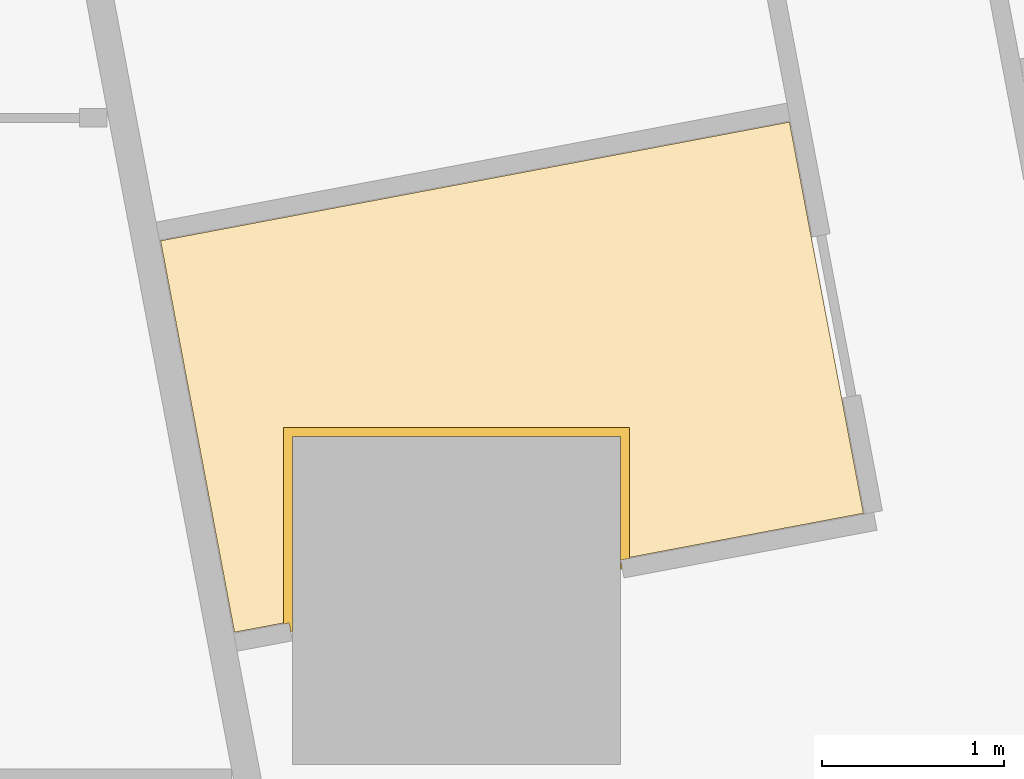
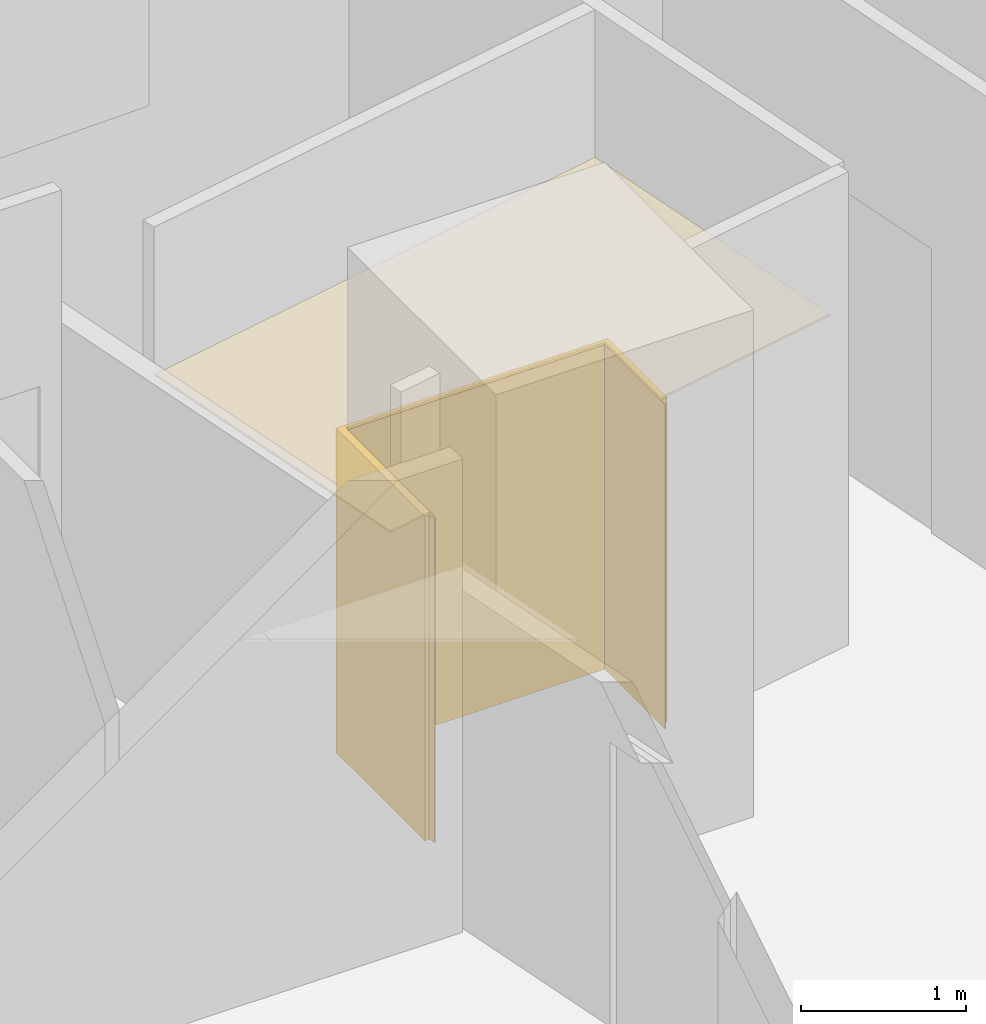
# One storey, part 17 of 17: 2 coverings.
"""IFC4 building model written with IfcOpenShell, lengths in metres."""

import ifcopenshell
import ifcopenshell.guid

model = None  # the IFC model being written
_history = None  # IfcOwnerHistory: only IFC2X3 demands one
_inside = {}  # id of a spatial element -> (the spatial element, [elements in it])
_under = {}  # id of a project, library or spatial element -> (it, [spatial elements below it])
_declared = {}  # id of a project -> (the project, [libraries it declares])
_typed = {}  # id of a type object -> (the type object, [elements of that type])
_made_of = {}  # id of a material, layer set ... -> (it, [elements and type objects made of it])


def new_model(schema):
    """Start an empty IFC model of exactly this schema.

    Asked for "IFC4X3", IfcOpenShell would pick the latest addendum, in which some entities
    have other attributes; the version numbers below select the first issue.
    IFC2X3 requires an IfcOwnerHistory on every rooted entity: one is made here for all.
    """
    global model, _history
    if schema == "IFC4X3":
        model = ifcopenshell.file(schema_version=(4, 3, 0, 0))
    else:
        model = ifcopenshell.file(schema=schema)
    _inside.clear()
    _under.clear()
    _declared.clear()
    _typed.clear()
    _made_of.clear()
    _history = None
    if model.schema == "IFC2X3":
        org = make("IfcOrganization", Name="unknown")
        user = make(
            "IfcPersonAndOrganization",
            ThePerson=make("IfcPerson", FamilyName="unknown"),
            TheOrganization=org,
        )
        app = make(
            "IfcApplication",
            ApplicationDeveloper=org,
            Version="unknown",
            ApplicationFullName="unknown",
            ApplicationIdentifier="unknown",
        )
        _history = make(
            "IfcOwnerHistory",
            OwningUser=user,
            OwningApplication=app,
            ChangeAction="ADDED",
            CreationDate=0,
        )
    return model


def make(cls, **values):
    """One entity of the class cls with the attributes given. An attribute that is None is left unset."""
    return model.create_entity(
        cls, **{name: value for name, value in values.items() if value is not None}
    )


def rooted(cls, **values):
    """An entity with a GlobalId (a new one), such as an element, a storey or a relation."""
    return make(cls, GlobalId=ifcopenshell.guid.new(), OwnerHistory=_history, **values)


def si_unit(unit_type, name, prefix=None):
    """IfcSIUnit, for example si_unit("LENGTHUNIT", "METRE", prefix="MILLI")."""
    return make("IfcSIUnit", UnitType=unit_type, Prefix=prefix, Name=name)


def assignment(units):
    """IfcUnitAssignment: the units of a project."""
    return None if units is None else make("IfcUnitAssignment", Units=units)


def point(xyz):
    """IfcCartesianPoint."""
    return None if xyz is None else make("IfcCartesianPoint", Coordinates=xyz)


def direction(xyz):
    """IfcDirection."""
    return None if xyz is None else make("IfcDirection", DirectionRatios=xyz)


def frame(location, z_axis=None, x_axis=None):
    """IfcAxis2Placement3D, a coordinate frame: its origin and axes. An axis left out is left unset."""
    return make(
        "IfcAxis2Placement3D",
        Location=point(location),
        Axis=direction(z_axis),
        RefDirection=direction(x_axis),
    )


def origin():
    """The frame at (0, 0, 0) with its axes left unset."""
    return frame((0.0, 0.0, 0.0))


def place(relative_to, where):
    """IfcLocalPlacement: puts the frame where relative to a parent placement (None: the world)."""
    return make(
        "IfcLocalPlacement", PlacementRelTo=relative_to, RelativePlacement=where
    )


def context(
    kind, dimensions, precision=None, world=None, true_north=None, identifier=None
):
    """IfcGeometricRepresentationContext, for example the 3D "Model" context."""
    return make(
        "IfcGeometricRepresentationContext",
        ContextIdentifier=identifier,
        ContextType=kind,
        CoordinateSpaceDimension=dimensions,
        Precision=precision,
        WorldCoordinateSystem=world,
        TrueNorth=true_north,
    )


def subcontext(parent, identifier, kind, view, scale=None):
    """IfcGeometricRepresentationSubContext, for example "Body" below "Model"."""
    return make(
        "IfcGeometricRepresentationSubContext",
        ContextIdentifier=identifier,
        ContextType=kind,
        ParentContext=parent,
        TargetScale=scale,
        TargetView=view,
    )


def project(units=None, contexts=None):
    """IfcProject with its units and contexts."""
    return rooted(
        "IfcProject",
        Name="project",
        RepresentationContexts=contexts,
        UnitsInContext=assignment(units),
    )


def spatial(cls, under=None, at=None, **own):
    """A site, building, storey or space (cls), placed at a placement, below another one or the project."""
    s = rooted(cls, ObjectPlacement=at, **own)
    if under is not None:
        _under.setdefault(under.id(), (under, []))[1].append(s)
    return s


def polyline(points):
    """IfcPolyline through the points."""
    return make("IfcPolyline", Points=[point(p) for p in points])


def outline(outer, holes=None, kind="AREA"):
    """IfcArbitraryClosedProfileDef: a profile drawn as a closed curve; with holes, ...WithVoids."""
    if holes is None:
        return make("IfcArbitraryClosedProfileDef", ProfileType=kind, OuterCurve=outer)
    return make(
        "IfcArbitraryProfileDefWithVoids",
        ProfileType=kind,
        OuterCurve=outer,
        InnerCurves=holes,
    )


def extrude(swept, where, along, depth):
    """IfcExtrudedAreaSolid: the profile swept, set in the frame where, extruded along a direction by depth."""
    return make(
        "IfcExtrudedAreaSolid",
        SweptArea=swept,
        Position=where,
        ExtrudedDirection=direction(along),
        Depth=depth,
    )


def shape(context_of_items, identifier, shape_type, items):
    """IfcShapeRepresentation: the items that make up one representation, for example the "Body"."""
    return make(
        "IfcShapeRepresentation",
        ContextOfItems=context_of_items,
        RepresentationIdentifier=identifier,
        RepresentationType=shape_type,
        Items=items,
    )


def material(Name=None, Category=None):
    """IfcMaterial."""
    return make("IfcMaterial", Name=Name, Category=Category)


def layer(
    of_material, thickness, ventilated=None, Name=None, Category=None, Priority=None
):
    """IfcMaterialLayer: one layer of a wall or slab, of a material (None: an air gap)."""
    return make(
        "IfcMaterialLayer",
        Material=of_material,
        LayerThickness=thickness,
        IsVentilated=ventilated,
        Name=Name,
        Category=Category,
        Priority=Priority,
    )


def layer_set(layers, Name=None):
    """IfcMaterialLayerSet."""
    return make("IfcMaterialLayerSet", MaterialLayers=layers, LayerSetName=Name)


def made_of(thing, what):
    """Note that an element or type object is made of a material, layer set ...; save() writes the relation."""
    if what is not None:
        _made_of.setdefault(what.id(), (what, []))[1].append(thing)
    return thing


def type_object(cls, material=None, **own):
    """A type object (cls), such as IfcWallType, which elements share."""
    return made_of(rooted(cls, **own), material)


def element(
    cls,
    number,
    at=None,
    inside=None,
    cuts=None,
    type_object=None,
    material=None,
    context=None,
    identifier="Body",
    shape_type=None,
    held_by="IfcProductDefinitionShape",
    body=None,
    shapes=None,
    **own,
):
    """One element of the class cls, such as IfcWall. Its Tag is "e" and its number.

    at: its placement. inside: the storey or other place that contains it. cuts: it is an
    opening in that element (IfcRelVoidsElement). A single representation is given by context,
    identifier, shape_type and body (its items); several are given by shapes. held_by: the class
    of the entity that holds the representations. save() writes the other relations.
    """
    e = rooted(cls, Tag="e%d" % number, ObjectPlacement=at, **own)
    if body is not None:
        shapes = [shape(context, identifier, shape_type, body)]
    if shapes is not None:
        e.Representation = make(held_by, Representations=shapes)
    if inside is not None:
        _inside.setdefault(inside.id(), (inside, []))[1].append(e)
    if cuts is not None:
        rooted(
            "IfcRelVoidsElement", RelatingBuildingElement=cuts, RelatedOpeningElement=e
        )
    if type_object is not None:
        _typed.setdefault(type_object.id(), (type_object, []))[1].append(e)
    return made_of(e, material)


def aggregate(whole, parts):
    """IfcRelAggregates: a whole, such as a stair, and the parts it consists of."""
    return rooted("IfcRelAggregates", RelatingObject=whole, RelatedObjects=parts)


def save(model, path):
    """Write the relations noted so far, then the file.

    IfcRelAggregates (storeys below a building ...), IfcRelContainedInSpatialStructure (elements
    in a storey), IfcRelDefinesByType, IfcRelAssociatesMaterial and IfcRelDeclares: one each for
    every whole, place, type object, material and project.
    """
    for whole, parts in _under.values():
        aggregate(whole, parts)
    for where, things in _inside.values():
        rooted(
            "IfcRelContainedInSpatialStructure",
            RelatedElements=things,
            RelatingStructure=where,
        )
    for kind, things in _typed.values():
        rooted("IfcRelDefinesByType", RelatedObjects=things, RelatingType=kind)
    for what, things in _made_of.values():
        rooted("IfcRelAssociatesMaterial", RelatedObjects=things, RelatingMaterial=what)
    for by, libraries in _declared.values():
        rooted("IfcRelDeclares", RelatingContext=by, RelatedDefinitions=libraries)
    model.write(path)


model = new_model("IFC4")

# Units and contexts
model_context = context("Model", 3, precision=1e-05, world=origin(), true_north=direction((0.0, 1.0)))
body_context = subcontext(model_context, "Body", "Model", "MODEL_VIEW")
ifc_project = project(units=[si_unit("LENGTHUNIT", "METRE"), si_unit("AREAUNIT", "SQUARE_METRE"), si_unit("VOLUMEUNIT", "CUBIC_METRE"), si_unit("PLANEANGLEUNIT", "RADIAN"), si_unit("MASSUNIT", "GRAM", prefix="KILO")], contexts=[model_context])

# Site, building, storey
site_placement = place(None, origin())
site = spatial("IfcSite", under=ifc_project, at=site_placement, CompositionType="ELEMENT")
building_placement = place(site_placement, origin())
building = spatial("IfcBuilding", under=site, at=building_placement, Name="Sheger Commons Tower", CompositionType="ELEMENT")
storey_placement = place(building_placement, frame((0.0, 0.0, 23.75)))
storey = spatial("IfcBuildingStorey", under=building, at=storey_placement, Name="L05", CompositionType="ELEMENT", Elevation=23.75)

# Coverings
ifc_material_1 = material(Name="Moisture-resistant gypsum plasterboard 15 mm on a suspended galvanised steel grid", Category="steel")
ifc_layer_1 = layer(ifc_material_1, 0.014892578125)
ifc_layer_set_1 = layer_set([ifc_layer_1], Name="MOISTURE-RESISTANT CEILING 15")
covering_type_1 = type_object("IfcCoveringType", Name="MOISTURE-RESISTANT CEILING 15", PredefinedType="CEILING", material=ifc_layer_set_1)
covering_1_placement = place(storey_placement, frame((0.0, 0.0, 2.39990234375)))
element("IfcCovering", 1, at=covering_1_placement, inside=storey, type_object=covering_type_1, Name="L05-09.B1 ceiling", PredefinedType="CEILING", context=body_context, shape_type="SweptSolid", body=[
    extrude(outline(polyline([(34.781005859375, 37.325927734375), (35.0849609375, 37.383056640625), (35.093017578125, 37.340087890625), (35.094970703125, 37.340087890625), (35.094970703125, 38.405029296875), (36.905029296875, 38.405029296875), (36.905029296875, 37.72802734375), (38.23388671875, 37.97900390625), (37.827880859375, 40.126953125), (34.375, 39.47509765625), (34.781005859375, 37.325927734375)])), origin(), (0.0, 0.0, 1.0), 0.01513671875),
])
ifc_material_2 = material(Name="Moisture-resistant gypsum board 12.5 mm on 25 mm treated timber battens, tanked and tiled", Category="wood")
ifc_layer_2 = layer(ifc_material_2, 0.050048828125)
ifc_layer_set_2 = layer_set([ifc_layer_2], Name="WET-ROOM COLUMN LINING")
covering_type_2 = type_object("IfcCoveringType", Name="WET-ROOM COLUMN LINING", PredefinedType="CLADDING", material=ifc_layer_set_2)
covering_2_placement = place(storey_placement, origin())
element("IfcCovering", 2, at=covering_2_placement, inside=storey, type_object=covering_type_2, Name="Bathroom column lining C8 L05", PredefinedType="CLADDING", context=body_context, shape_type="SweptSolid", body=[
    extrude(outline(polyline([(36.949951171875, 38.449951171875), (36.949951171875, 37.73095703125), (36.90087890625, 37.721923828125), (36.909912109375, 37.673095703125), (36.89990234375, 37.6708984375), (36.89990234375, 38.39990234375), (35.10009765625, 38.39990234375), (35.10009765625, 37.330078125), (35.090087890625, 37.327880859375), (35.0810546875, 37.376953125), (35.050048828125, 37.37109375), (35.050048828125, 38.449951171875), (36.949951171875, 38.449951171875)])), origin(), (0.0, 0.0, 1.0), 2.39990234375),
])

save(model, "model.ifc")
